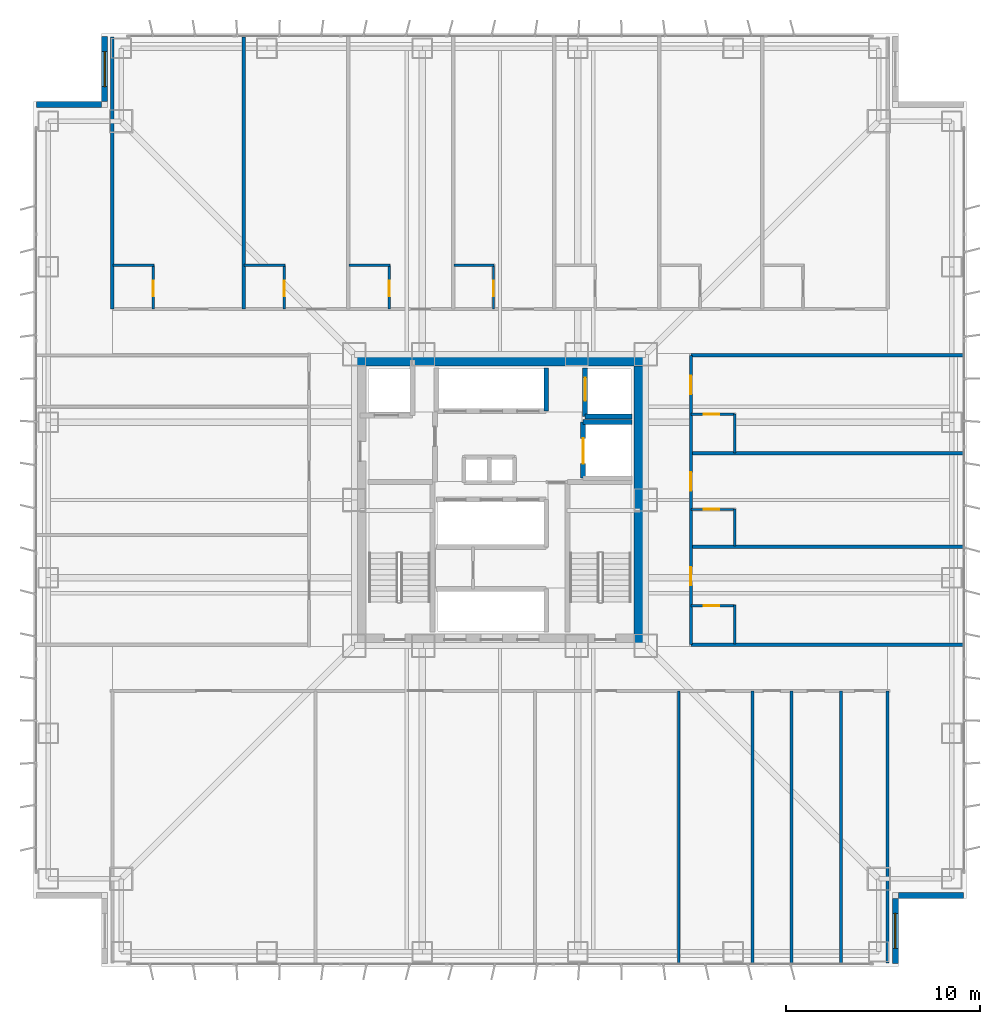
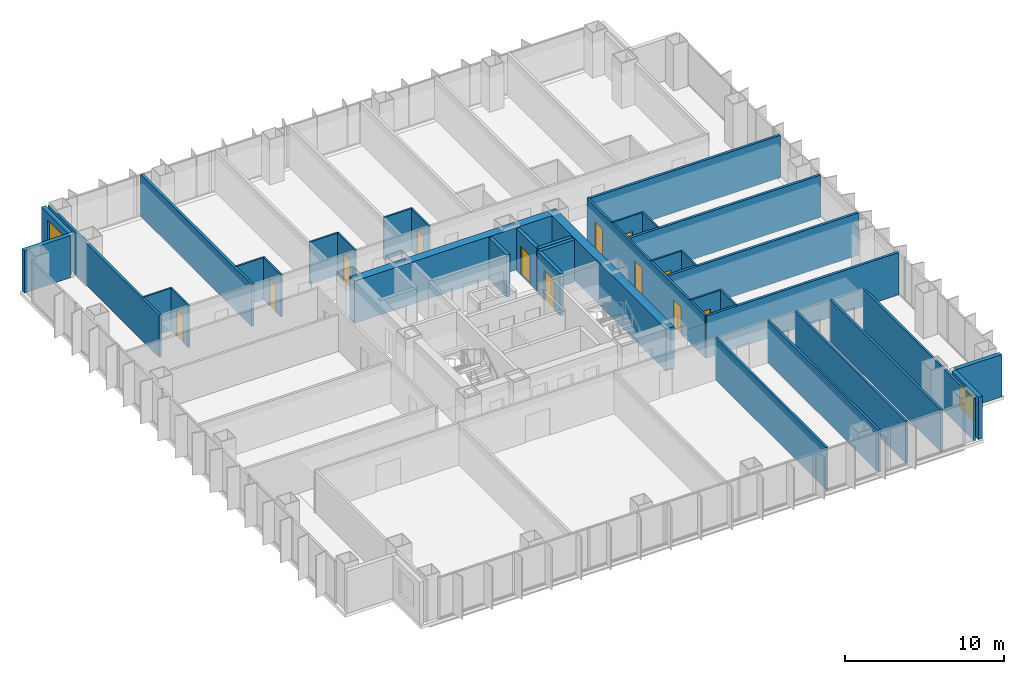
# One storey, part 12 of 17: 37 walls, 12 doors, 2 windows, 14 openings.
"""IFC4 building model written with IfcOpenShell, lengths in metres."""

from ifc_helpers import new_model, si_unit, direction, frame, frame_2d, origin, place, context, subcontext, project, spatial, rectangle, extrude, material, layer, layer_set, type_object, element, fill, save


model = new_model("IFC4")

# Units and contexts
model_context = context("Model", 3, precision=1e-05, world=origin(), true_north=direction((0.0, 1.0)))
body_context = subcontext(model_context, "Body", "Model", "MODEL_VIEW")
ifc_project = project(units=[si_unit("LENGTHUNIT", "METRE"), si_unit("AREAUNIT", "SQUARE_METRE"), si_unit("VOLUMEUNIT", "CUBIC_METRE"), si_unit("PLANEANGLEUNIT", "RADIAN"), si_unit("MASSUNIT", "GRAM", prefix="KILO")], contexts=[model_context])

# Site, building, storey
site_placement = place(None, origin())
site = spatial("IfcSite", under=ifc_project, at=site_placement, CompositionType="ELEMENT")
building_placement = place(site_placement, origin())
building = spatial("IfcBuilding", under=site, at=building_placement, Name="Trevonay Congress Spire", CompositionType="ELEMENT")
storey_placement = place(building_placement, frame((0.0, 0.0, 69.0)))
storey = spatial("IfcBuildingStorey", under=building, at=storey_placement, Name="L17", CompositionType="ELEMENT", Elevation=69.0)

# Wall, opening, door
ifc_material_1 = material(Name="Concrete C40/50", Category="concrete")
ifc_layer_1 = layer(ifc_material_1, 0.1201171875, Name="Concrete C40/50")
ifc_layer_set_1 = layer_set([ifc_layer_1], Name="Concrete C40/50")
wall_type_1 = type_object("IfcWallType", Name="WAL-BATH-120", PredefinedType="PLUMBINGWALL", material=ifc_layer_set_1)
wall_1_placement = place(storey_placement, frame((-17.85009765625, 9.830078125, 0.0), z_axis=(0.0, 0.0, 1.0), x_axis=(0.0, 1.0, 0.0)))
wall_1 = element("IfcWall", 1, at=wall_1_placement, inside=storey, type_object=wall_type_1, Name="L17 interior wall WH-L17N-BS1", PredefinedType="PLUMBINGWALL", context=body_context, shape_type="SweptSolid", body=[
    extrude(rectangle(XDim=2.25, YDim=0.1201171875, at=frame_2d((1.125, 0.0))), origin(), (0.0, 0.0, 1.0), 3.25),
])
opening_1_placement = place(wall_1_placement, frame((0.64990234375, 0.0, 0.0)))
opening_1 = element("IfcOpeningElement", 2, at=opening_1_placement, cuts=wall_1, Name="Opening D11", PredefinedType="OPENING", context=body_context, shape_type="SweptSolid", body=[
    extrude(rectangle(XDim=0.800048828125, YDim=2.050048828125, at=frame_2d((0.39990234375, 1.02490234375))), frame((0.0, 0.070068359375, 0.0), z_axis=(0.0, -1.0, 0.0), x_axis=(1.0, 0.0, 0.0)), (0.0, 0.0, 1.0), 0.14013671875),
])
ifc_material_2 = material(Name="Pale Anodised Aluminium EN AW-6063-T6", Category="aluminium")
door_type_1 = type_object("IfcDoorType", Name="DOR-BATH-80", OperationType="NOTDEFINED", PredefinedType="DOOR", material=ifc_material_2)
door_1_placement = place(opening_1_placement, origin())
door_1 = element("IfcDoor", 3, at=door_1_placement, inside=storey, type_object=door_type_1, Name="L17 En-suite Bathroom Door", OperationType="SINGLE_SWING_RIGHT", OverallHeight=2.050048828125, OverallWidth=0.800048828125, PredefinedType="DOOR", context=body_context, shape_type="SweptSolid", body=[
    extrude(rectangle(XDim=0.800048828125, YDim=2.050048828125, at=frame_2d((0.39990234375, 1.02490234375))), frame((0.0, 0.02490234375, 0.0), z_axis=(0.0, -1.0, 0.0), x_axis=(1.0, 0.0, 0.0)), (0.0, 0.0, 1.0), 0.050048828125),
])
fill(opening_1, door_1)

# Wall
wall_2_placement = place(storey_placement, frame((-19.919921875, 12.080078125, 0.0), z_axis=(0.0, 0.0, 1.0), x_axis=(1.0, 0.0, 0.0)))
element("IfcWall", 4, at=wall_2_placement, inside=storey, type_object=wall_type_1, Name="L17 interior wall WH-L17N-BF1", PredefinedType="PLUMBINGWALL", context=body_context, shape_type="SweptSolid", body=[
    extrude(rectangle(XDim=2.099853515625, YDim=0.1201171875, at=frame_2d((1.0498046875, 0.0))), origin(), (0.0, 0.0, 1.0), 3.25),
])

# Wall, opening, door
wall_3_placement = place(storey_placement, frame((-11.10009765625, 9.830078125, 0.0), z_axis=(0.0, 0.0, 1.0), x_axis=(0.0, 1.0, 0.0)))
wall_3 = element("IfcWall", 5, at=wall_3_placement, inside=storey, type_object=wall_type_1, Name="L17 interior wall WH-L17N-BS2", PredefinedType="PLUMBINGWALL", context=body_context, shape_type="SweptSolid", body=[
    extrude(rectangle(XDim=2.25, YDim=0.1201171875, at=frame_2d((1.125, 0.0))), origin(), (0.0, 0.0, 1.0), 3.25),
])
opening_2_placement = place(wall_3_placement, frame((0.64990234375, 0.0, 0.0)))
opening_2 = element("IfcOpeningElement", 6, at=opening_2_placement, cuts=wall_3, Name="Opening D11", PredefinedType="OPENING", context=body_context, shape_type="SweptSolid", body=[
    extrude(rectangle(XDim=0.800048828125, YDim=2.050048828125, at=frame_2d((0.39990234375, 1.02490234375))), frame((0.0, 0.070068359375, 0.0), z_axis=(0.0, -1.0, 0.0), x_axis=(1.0, 0.0, 0.0)), (0.0, 0.0, 1.0), 0.14013671875),
])
door_2_placement = place(opening_2_placement, origin())
door_2 = element("IfcDoor", 7, at=door_2_placement, inside=storey, type_object=door_type_1, Name="L17 En-suite Bathroom Door", OperationType="SINGLE_SWING_LEFT", OverallHeight=2.050048828125, OverallWidth=0.800048828125, PredefinedType="DOOR", context=body_context, shape_type="SweptSolid", body=[
    extrude(rectangle(XDim=0.800048828125, YDim=2.050048828125, at=frame_2d((0.39990234375, 1.02490234375))), frame((0.0, 0.02490234375, 0.0), z_axis=(0.0, -1.0, 0.0), x_axis=(1.0, 0.0, 0.0)), (0.0, 0.0, 1.0), 0.050048828125),
])
fill(opening_2, door_2)

# Wall
wall_4_placement = place(storey_placement, frame((-13.169921875, 12.080078125, 0.0), z_axis=(0.0, 0.0, 1.0), x_axis=(1.0, 0.0, 0.0)))
element("IfcWall", 8, at=wall_4_placement, inside=storey, type_object=wall_type_1, Name="L17 interior wall WH-L17N-BF2", PredefinedType="PLUMBINGWALL", context=body_context, shape_type="SweptSolid", body=[
    extrude(rectangle(XDim=2.099853515625, YDim=0.1201171875, at=frame_2d((1.0498046875, 0.0))), origin(), (0.0, 0.0, 1.0), 3.25),
])

# Wall, opening, door
wall_5_placement = place(storey_placement, frame((-5.699951171875, 9.830078125, 0.0), z_axis=(0.0, 0.0, 1.0), x_axis=(0.0, 1.0, 0.0)))
wall_5 = element("IfcWall", 9, at=wall_5_placement, inside=storey, type_object=wall_type_1, Name="L17 interior wall WH-L17N-BS3", PredefinedType="PLUMBINGWALL", context=body_context, shape_type="SweptSolid", body=[
    extrude(rectangle(XDim=2.25, YDim=0.1201171875, at=frame_2d((1.125, 0.0))), origin(), (0.0, 0.0, 1.0), 3.25),
])
opening_3_placement = place(wall_5_placement, frame((0.64990234375, 0.0, 0.0)))
opening_3 = element("IfcOpeningElement", 10, at=opening_3_placement, cuts=wall_5, Name="Opening D11", PredefinedType="OPENING", context=body_context, shape_type="SweptSolid", body=[
    extrude(rectangle(XDim=0.800048828125, YDim=2.050048828125, at=frame_2d((0.39990234375, 1.02490234375))), frame((0.0, 0.070068359375, 0.0), z_axis=(0.0, -1.0, 0.0), x_axis=(1.0, 0.0, 0.0)), (0.0, 0.0, 1.0), 0.14013671875),
])
door_3_placement = place(opening_3_placement, origin())
door_3 = element("IfcDoor", 11, at=door_3_placement, inside=storey, type_object=door_type_1, Name="L17 En-suite Bathroom Door", OperationType="SINGLE_SWING_RIGHT", OverallHeight=2.050048828125, OverallWidth=0.800048828125, PredefinedType="DOOR", context=body_context, shape_type="SweptSolid", body=[
    extrude(rectangle(XDim=0.800048828125, YDim=2.050048828125, at=frame_2d((0.39990234375, 1.02490234375))), frame((0.0, 0.02490234375, 0.0), z_axis=(0.0, -1.0, 0.0), x_axis=(1.0, 0.0, 0.0)), (0.0, 0.0, 1.0), 0.050048828125),
])
fill(opening_3, door_3)

# Wall
wall_6_placement = place(storey_placement, frame((-7.77001953125, 12.080078125, 0.0), z_axis=(0.0, 0.0, 1.0), x_axis=(1.0, 0.0, 0.0)))
element("IfcWall", 12, at=wall_6_placement, inside=storey, type_object=wall_type_1, Name="L17 interior wall WH-L17N-BF3", PredefinedType="PLUMBINGWALL", context=body_context, shape_type="SweptSolid", body=[
    extrude(rectangle(XDim=2.10009765625, YDim=0.1201171875, at=frame_2d((1.050048828125, 0.0))), origin(), (0.0, 0.0, 1.0), 3.25),
])

# Wall, opening, door
wall_7_placement = place(storey_placement, frame((-0.3349609375, 9.830078125, 0.0), z_axis=(0.0, 0.0, 1.0), x_axis=(0.0, 1.0, 0.0)))
wall_7 = element("IfcWall", 13, at=wall_7_placement, inside=storey, type_object=wall_type_1, Name="L17 interior wall WH-L17N-BS4", PredefinedType="PLUMBINGWALL", context=body_context, shape_type="SweptSolid", body=[
    extrude(rectangle(XDim=2.25, YDim=0.1201171875, at=frame_2d((1.125, 0.0))), origin(), (0.0, 0.0, 1.0), 3.25),
])
opening_4_placement = place(wall_7_placement, frame((0.64990234375, 0.0, 0.0)))
opening_4 = element("IfcOpeningElement", 14, at=opening_4_placement, cuts=wall_7, Name="Opening D11", PredefinedType="OPENING", context=body_context, shape_type="SweptSolid", body=[
    extrude(rectangle(XDim=0.800048828125, YDim=2.050048828125, at=frame_2d((0.39990234375, 1.02490234375))), frame((0.0, 0.070068359375, 0.0), z_axis=(0.0, -1.0, 0.0), x_axis=(1.0, 0.0, 0.0)), (0.0, 0.0, 1.0), 0.14013671875),
])
door_4_placement = place(opening_4_placement, origin())
door_4 = element("IfcDoor", 15, at=door_4_placement, inside=storey, type_object=door_type_1, Name="L17 En-suite Bathroom Door", OperationType="SINGLE_SWING_LEFT", OverallHeight=2.050048828125, OverallWidth=0.800048828125, PredefinedType="DOOR", context=body_context, shape_type="SweptSolid", body=[
    extrude(rectangle(XDim=0.800048828125, YDim=2.050048828125, at=frame_2d((0.39990234375, 1.02490234375))), frame((0.0, 0.02490234375, 0.0), z_axis=(0.0, -1.0, 0.0), x_axis=(1.0, 0.0, 0.0)), (0.0, 0.0, 1.0), 0.050048828125),
])
fill(opening_4, door_4)

# Wall
wall_8_placement = place(storey_placement, frame((-2.3701171875, 12.080078125, 0.0), z_axis=(0.0, 0.0, 1.0), x_axis=(1.0, 0.0, 0.0)))
element("IfcWall", 16, at=wall_8_placement, inside=storey, type_object=wall_type_1, Name="L17 interior wall WH-L17N-BF4", PredefinedType="PLUMBINGWALL", context=body_context, shape_type="SweptSolid", body=[
    extrude(rectangle(XDim=2.065185546875, YDim=0.1201171875, at=frame_2d((1.03271484375, 0.0))), origin(), (0.0, 0.0, 1.0), 3.25),
])

# Wall, opening, door
wall_9_placement = place(storey_placement, frame((9.830078125, -5.44189453125, 0.0), z_axis=(0.0, 0.0, 1.0), x_axis=(1.0, 0.0, 0.0)))
wall_9 = element("IfcWall", 17, at=wall_9_placement, inside=storey, type_object=wall_type_1, Name="L17 interior wall WH-L17E-BS1", PredefinedType="PLUMBINGWALL", context=body_context, shape_type="SweptSolid", body=[
    extrude(rectangle(XDim=2.25, YDim=0.1201171875, at=frame_2d((1.125, 0.0))), origin(), (0.0, 0.0, 1.0), 3.25),
])
opening_5_placement = place(wall_9_placement, frame((0.64990234375, 0.0, 0.0)))
opening_5 = element("IfcOpeningElement", 18, at=opening_5_placement, cuts=wall_9, Name="Opening D11", PredefinedType="OPENING", context=body_context, shape_type="SweptSolid", body=[
    extrude(rectangle(XDim=0.800048828125, YDim=2.050048828125, at=frame_2d((0.39990234375, 1.02490234375))), frame((0.0, 0.070068359375, 0.0), z_axis=(0.0, -1.0, 0.0), x_axis=(1.0, 0.0, 0.0)), (0.0, 0.0, 1.0), 0.14013671875),
])
door_5_placement = place(opening_5_placement, origin())
door_5 = element("IfcDoor", 19, at=door_5_placement, inside=storey, type_object=door_type_1, Name="L17 En-suite Bathroom Door", OperationType="SINGLE_SWING_LEFT", OverallHeight=2.050048828125, OverallWidth=0.800048828125, PredefinedType="DOOR", context=body_context, shape_type="SweptSolid", body=[
    extrude(rectangle(XDim=0.800048828125, YDim=2.050048828125, at=frame_2d((0.39990234375, 1.02490234375))), frame((0.0, 0.02490234375, 0.0), z_axis=(0.0, -1.0, 0.0), x_axis=(1.0, 0.0, 0.0)), (0.0, 0.0, 1.0), 0.050048828125),
])
fill(opening_5, door_5)

# Wall
wall_10_placement = place(storey_placement, frame((12.080078125, -7.419921875, 0.0), z_axis=(0.0, 0.0, 1.0), x_axis=(0.0, 1.0, 0.0)))
element("IfcWall", 20, at=wall_10_placement, inside=storey, type_object=wall_type_1, Name="L17 interior wall WH-L17E-BF1", PredefinedType="PLUMBINGWALL", context=body_context, shape_type="SweptSolid", body=[
    extrude(rectangle(XDim=2.0078125, YDim=0.1201171875, at=frame_2d((1.00390625, 0.0))), origin(), (0.0, 0.0, 1.0), 3.25),
])

# Wall, opening, door
wall_11_placement = place(storey_placement, frame((9.830078125, -0.487060546875, 0.0), z_axis=(0.0, 0.0, 1.0), x_axis=(1.0, 0.0, 0.0)))
wall_11 = element("IfcWall", 21, at=wall_11_placement, inside=storey, type_object=wall_type_1, Name="L17 interior wall WH-L17E-BS2", PredefinedType="PLUMBINGWALL", context=body_context, shape_type="SweptSolid", body=[
    extrude(rectangle(XDim=2.25, YDim=0.1201171875, at=frame_2d((1.125, 0.0))), origin(), (0.0, 0.0, 1.0), 3.25),
])
opening_6_placement = place(wall_11_placement, frame((0.64990234375, 0.0, 0.0)))
opening_6 = element("IfcOpeningElement", 22, at=opening_6_placement, cuts=wall_11, Name="Opening D11", PredefinedType="OPENING", context=body_context, shape_type="SweptSolid", body=[
    extrude(rectangle(XDim=0.800048828125, YDim=2.050048828125, at=frame_2d((0.39990234375, 1.02490234375))), frame((0.0, 0.070068359375, 0.0), z_axis=(0.0, -1.0, 0.0), x_axis=(1.0, 0.0, 0.0)), (0.0, 0.0, 1.0), 0.14013671875),
])
door_6_placement = place(opening_6_placement, origin())
door_6 = element("IfcDoor", 23, at=door_6_placement, inside=storey, type_object=door_type_1, Name="L17 En-suite Bathroom Door", OperationType="SINGLE_SWING_RIGHT", OverallHeight=2.050048828125, OverallWidth=0.800048828125, PredefinedType="DOOR", context=body_context, shape_type="SweptSolid", body=[
    extrude(rectangle(XDim=0.800048828125, YDim=2.050048828125, at=frame_2d((0.39990234375, 1.02490234375))), frame((0.0, 0.02490234375, 0.0), z_axis=(0.0, -1.0, 0.0), x_axis=(1.0, 0.0, 0.0)), (0.0, 0.0, 1.0), 0.050048828125),
])
fill(opening_6, door_6)

# Wall
wall_12_placement = place(storey_placement, frame((12.080078125, -2.3701171875, 0.0), z_axis=(0.0, 0.0, 1.0), x_axis=(0.0, 1.0, 0.0)))
element("IfcWall", 24, at=wall_12_placement, inside=storey, type_object=wall_type_1, Name="L17 interior wall WH-L17E-BF2", PredefinedType="PLUMBINGWALL", context=body_context, shape_type="SweptSolid", body=[
    extrude(rectangle(XDim=1.9130859375, YDim=0.1201171875, at=frame_2d((0.95654296875, 0.0))), origin(), (0.0, 0.0, 1.0), 3.25),
])

# Wall, opening, door
wall_13_placement = place(storey_placement, frame((9.830078125, 4.407958984375, 0.0), z_axis=(0.0, 0.0, 1.0), x_axis=(1.0, 0.0, 0.0)))
wall_13 = element("IfcWall", 25, at=wall_13_placement, inside=storey, type_object=wall_type_1, Name="L17 interior wall WH-L17E-BS3", PredefinedType="PLUMBINGWALL", context=body_context, shape_type="SweptSolid", body=[
    extrude(rectangle(XDim=2.25, YDim=0.1201171875, at=frame_2d((1.125, 0.0))), origin(), (0.0, 0.0, 1.0), 3.25),
])
opening_7_placement = place(wall_13_placement, frame((0.64990234375, 0.0, 0.0)))
opening_7 = element("IfcOpeningElement", 26, at=opening_7_placement, cuts=wall_13, Name="Opening D11", PredefinedType="OPENING", context=body_context, shape_type="SweptSolid", body=[
    extrude(rectangle(XDim=0.800048828125, YDim=2.050048828125, at=frame_2d((0.39990234375, 1.02490234375))), frame((0.0, 0.070068359375, 0.0), z_axis=(0.0, -1.0, 0.0), x_axis=(1.0, 0.0, 0.0)), (0.0, 0.0, 1.0), 0.14013671875),
])
door_7_placement = place(opening_7_placement, origin())
door_7 = element("IfcDoor", 27, at=door_7_placement, inside=storey, type_object=door_type_1, Name="L17 En-suite Bathroom Door", OperationType="SINGLE_SWING_LEFT", OverallHeight=2.050048828125, OverallWidth=0.800048828125, PredefinedType="DOOR", context=body_context, shape_type="SweptSolid", body=[
    extrude(rectangle(XDim=0.800048828125, YDim=2.050048828125, at=frame_2d((0.39990234375, 1.02490234375))), frame((0.0, 0.02490234375, 0.0), z_axis=(0.0, -1.0, 0.0), x_axis=(1.0, 0.0, 0.0)), (0.0, 0.0, 1.0), 0.050048828125),
])
fill(opening_7, door_7)

# Walls
wall_14_placement = place(storey_placement, frame((12.080078125, 2.429931640625, 0.0), z_axis=(0.0, 0.0, 1.0), x_axis=(0.0, 1.0, 0.0)))
element("IfcWall", 28, at=wall_14_placement, inside=storey, type_object=wall_type_1, Name="L17 interior wall WH-L17E-BF3", PredefinedType="PLUMBINGWALL", context=body_context, shape_type="SweptSolid", body=[
    extrude(rectangle(XDim=2.008056640625, YDim=0.1201171875, at=frame_2d((1.00390625, 0.0))), origin(), (0.0, 0.0, 1.0), 3.25),
])
ifc_material_3 = material(Name="Concrete C60/75", Category="concrete")
ifc_layer_2 = layer(ifc_material_3, 0.60009765625, Name="Concrete C60/75")
ifc_layer_set_2 = layer_set([ifc_layer_2], Name="Concrete C60/75")
wall_type_2 = type_object("IfcWallType", Name="WAL-CORE-600", PredefinedType="SHEAR", material=ifc_layer_set_2)
for number, where, z_axis, x_axis, name in (
    (29, (-7.5, 7.199951171875, 0.0), (0.0, 0.0, 1.0), (1.0, 0.0, 0.0), "L17 North structural core shear wall"),
    (30, (7.199951171875, -7.5, 0.0), (0.0, 0.0, 1.0), (0.0, 1.0, 0.0), "L17 East structural core shear wall"),
):
    element("IfcWall", number, at=place(storey_placement, frame(where, z_axis=z_axis, x_axis=x_axis)), inside=storey, type_object=wall_type_2, Name=name, PredefinedType="SHEAR", context=body_context, shape_type="SweptSolid", body=[
        extrude(rectangle(XDim=15.0, YDim=0.60009765625, at=frame_2d((7.5, 0.0))), origin(), (0.0, 0.0, 1.0), 3.25),
    ])

# Wall, openings, doors
ifc_layer_3 = layer(ifc_material_1, 0.14990234375, Name="Concrete C40/50")
ifc_layer_set_3 = layer_set([ifc_layer_3], Name="Concrete C40/50")
wall_type_3 = type_object("IfcWallType", Name="WAL-CORR-150", PredefinedType="PARTITIONING", material=ifc_layer_set_3)
wall_15_placement = place(storey_placement, frame((9.830078125, -7.449951171875, 0.0), z_axis=(0.0, 0.0, 1.0), x_axis=(0.0, 1.0, 0.0)))
wall_15 = element("IfcWall", 31, at=wall_15_placement, inside=storey, type_object=wall_type_3, Name="L17 interior wall WH-L17E-COR", PredefinedType="PARTITIONING", context=body_context, shape_type="SweptSolid", body=[
    extrude(rectangle(XDim=14.89990234375, YDim=0.14990234375, at=frame_2d((7.449951171875, 0.0))), origin(), (0.0, 0.0, 1.0), 3.25),
])
opening_8_placement = place(wall_15_placement, frame((3.049072265625, 0.0, 0.0)))
opening_8 = element("IfcOpeningElement", 32, at=opening_8_placement, cuts=wall_15, Name="Opening D08", PredefinedType="OPENING", context=body_context, shape_type="SweptSolid", body=[
    extrude(rectangle(XDim=0.949951171875, YDim=2.080078125, at=frame_2d((0.47509765625, 1.0400390625))), frame((0.0, 0.0849609375, 0.0), z_axis=(0.0, -1.0, 0.0), x_axis=(1.0, 0.0, 0.0)), (0.0, 0.0, 1.0), 0.169921875),
])
opening_9_placement = place(wall_15_placement, frame((7.926513671875, 0.0, 0.0)))
opening_9 = element("IfcOpeningElement", 33, at=opening_9_placement, cuts=wall_15, Name="Opening D08", PredefinedType="OPENING", context=body_context, shape_type="SweptSolid", body=[
    extrude(rectangle(XDim=0.949951171875, YDim=2.080078125, at=frame_2d((0.47509765625, 1.0400390625))), frame((0.0, 0.0849609375, 0.0), z_axis=(0.0, -1.0, 0.0), x_axis=(1.0, 0.0, 0.0)), (0.0, 0.0, 1.0), 0.169921875),
])
opening_10_placement = place(wall_15_placement, frame((12.89892578125, 0.0, 0.0)))
opening_10 = element("IfcOpeningElement", 34, at=opening_10_placement, cuts=wall_15, Name="Opening D08", PredefinedType="OPENING", context=body_context, shape_type="SweptSolid", body=[
    extrude(rectangle(XDim=0.949951171875, YDim=2.080078125, at=frame_2d((0.47509765625, 1.0400390625))), frame((0.0, 0.0849609375, 0.0), z_axis=(0.0, -1.0, 0.0), x_axis=(1.0, 0.0, 0.0)), (0.0, 0.0, 1.0), 0.169921875),
])
door_type_2 = type_object("IfcDoorType", Name="DOR-SUITE-95", OperationType="NOTDEFINED", PredefinedType="DOOR", material=ifc_material_2)
door_8_placement = place(opening_8_placement, origin())
door_8 = element("IfcDoor", 35, at=door_8_placement, inside=storey, type_object=door_type_2, Name="L17 Hotel Guest Room Entrance Door", OperationType="SINGLE_SWING_RIGHT", OverallHeight=2.080078125, OverallWidth=0.949951171875, PredefinedType="DOOR", context=body_context, shape_type="SweptSolid", body=[
    extrude(rectangle(XDim=0.949951171875, YDim=2.080078125, at=frame_2d((0.47509765625, 1.0400390625))), frame((0.0, 0.02490234375, 0.0), z_axis=(0.0, -1.0, 0.0), x_axis=(1.0, 0.0, 0.0)), (0.0, 0.0, 1.0), 0.050048828125),
])
fill(opening_8, door_8)
door_9_placement = place(opening_9_placement, origin())
door_9 = element("IfcDoor", 36, at=door_9_placement, inside=storey, type_object=door_type_2, Name="L17 Corner Hotel Suite Entrance Door", OperationType="SINGLE_SWING_LEFT", OverallHeight=2.080078125, OverallWidth=0.949951171875, PredefinedType="DOOR", context=body_context, shape_type="SweptSolid", body=[
    extrude(rectangle(XDim=0.949951171875, YDim=2.080078125, at=frame_2d((0.47509765625, 1.0400390625))), frame((0.0, 0.02490234375, 0.0), z_axis=(0.0, -1.0, 0.0), x_axis=(1.0, 0.0, 0.0)), (0.0, 0.0, 1.0), 0.050048828125),
])
fill(opening_9, door_9)
door_10_placement = place(opening_10_placement, origin())
door_10 = element("IfcDoor", 37, at=door_10_placement, inside=storey, type_object=door_type_2, Name="L17 Hotel Guest Room Entrance Door", OperationType="SINGLE_SWING_RIGHT", OverallHeight=2.080078125, OverallWidth=0.949951171875, PredefinedType="DOOR", context=body_context, shape_type="SweptSolid", body=[
    extrude(rectangle(XDim=0.949951171875, YDim=2.080078125, at=frame_2d((0.47509765625, 1.0400390625))), frame((0.0, 0.02490234375, 0.0), z_axis=(0.0, -1.0, 0.0), x_axis=(1.0, 0.0, 0.0)), (0.0, 0.0, 1.0), 0.050048828125),
])
fill(opening_10, door_10)

# Wall, opening, window
ifc_material_4 = material(Name="Precast concrete C40/50", Category="concrete")
ifc_layer_4 = layer(ifc_material_4, 0.300048828125, Name="Precast concrete C40/50")
ifc_layer_set_4 = layer_set([ifc_layer_4], Name="Precast concrete C40/50")
wall_type_4 = type_object("IfcWallType", Name="WAL-EXT-PRECAST-300", PredefinedType="SOLIDWALL", material=ifc_layer_set_4)
wall_16_placement = place(storey_placement, frame((20.35009765625, -23.85009765625, 0.0), z_axis=(0.0, 0.0, 1.0), x_axis=(0.0, 1.0, 0.0)))
wall_16 = element("IfcWall", 38, at=wall_16_placement, inside=storey, type_object=wall_type_4, Name="L17 SE re-entrant notch exterior wall 1", PredefinedType="SOLIDWALL", context=body_context, shape_type="SweptSolid", body=[
    extrude(rectangle(XDim=3.35009765625, YDim=0.300048828125, at=frame_2d((1.675048828125, 0.0))), origin(), (0.0, 0.0, 1.0), 3.25),
])
opening_11_placement = place(wall_16_placement, frame((0.77490234375, 0.0, 0.89990234375)))
opening_11 = element("IfcOpeningElement", 39, at=opening_11_placement, cuts=wall_16, Name="Opening WN01", PredefinedType="OPENING", context=body_context, shape_type="SweptSolid", body=[
    extrude(rectangle(XDim=1.800048828125, YDim=1.800048828125, at=frame_2d((0.89990234375, 0.89990234375))), frame((0.0, 0.16015625, 0.0), z_axis=(0.0, -1.0, 0.0), x_axis=(1.0, 0.0, 0.0)), (0.0, 0.0, 1.0), 0.320068359375),
])
ifc_material_5 = material(Name="Insulated Low-E Vision Glass IGU", Category="glass")
window_type = type_object("IfcWindowType", Name="WIN-HOTEL-180X180", PartitioningType="SINGLE_PANEL", PredefinedType="WINDOW", material=ifc_material_5)
window_1_placement = place(opening_11_placement, origin())
window_1 = element("IfcWindow", 40, at=window_1_placement, inside=storey, type_object=window_type, Name="L17 SE corner notch window", OverallHeight=1.800048828125, OverallWidth=1.800048828125, PartitioningType="SINGLE_PANEL", PredefinedType="WINDOW", context=body_context, shape_type="SweptSolid", body=[
    extrude(rectangle(XDim=1.800048828125, YDim=1.800048828125, at=frame_2d((0.89990234375, 0.89990234375))), frame((0.0, 0.030029296875, 0.0), z_axis=(0.0, -1.0, 0.0), x_axis=(1.0, 0.0, 0.0)), (0.0, 0.0, 1.0), 0.06005859375),
])
fill(opening_11, window_1)

# Wall
wall_17_placement = place(storey_placement, frame((23.85009765625, -20.35009765625, 0.0), z_axis=(0.0, 0.0, 1.0), x_axis=(-1.0, 0.0, 0.0)))
element("IfcWall", 41, at=wall_17_placement, inside=storey, type_object=wall_type_4, Name="L17 SE re-entrant notch exterior wall 2", PredefinedType="SOLIDWALL", context=body_context, shape_type="SweptSolid", body=[
    extrude(rectangle(XDim=3.35009765625, YDim=0.300048828125, at=frame_2d((1.675048828125, 0.0))), origin(), (0.0, 0.0, 1.0), 3.25),
])

# Wall, opening, window
wall_18_placement = place(storey_placement, frame((-20.35009765625, 23.85009765625, 0.0), z_axis=(0.0, 0.0, 1.0), x_axis=(0.0, -1.0, 0.0)))
wall_18 = element("IfcWall", 42, at=wall_18_placement, inside=storey, type_object=wall_type_4, Name="L17 NW re-entrant notch exterior wall 1", PredefinedType="SOLIDWALL", context=body_context, shape_type="SweptSolid", body=[
    extrude(rectangle(XDim=3.35009765625, YDim=0.300048828125, at=frame_2d((1.675048828125, 0.0))), origin(), (0.0, 0.0, 1.0), 3.25),
])
opening_12_placement = place(wall_18_placement, frame((0.77490234375, 0.0, 0.89990234375)))
opening_12 = element("IfcOpeningElement", 43, at=opening_12_placement, cuts=wall_18, Name="Opening WN01", PredefinedType="OPENING", context=body_context, shape_type="SweptSolid", body=[
    extrude(rectangle(XDim=1.800048828125, YDim=1.800048828125, at=frame_2d((0.89990234375, 0.89990234375))), frame((0.0, 0.16015625, 0.0), z_axis=(0.0, -1.0, 0.0), x_axis=(1.0, 0.0, 0.0)), (0.0, 0.0, 1.0), 0.320068359375),
])
window_2_placement = place(opening_12_placement, origin())
window_2 = element("IfcWindow", 44, at=window_2_placement, inside=storey, type_object=window_type, Name="L17 NW corner notch window", OverallHeight=1.800048828125, OverallWidth=1.800048828125, PartitioningType="SINGLE_PANEL", PredefinedType="WINDOW", context=body_context, shape_type="SweptSolid", body=[
    extrude(rectangle(XDim=1.800048828125, YDim=1.800048828125, at=frame_2d((0.89990234375, 0.89990234375))), frame((0.0, 0.030029296875, 0.0), z_axis=(0.0, -1.0, 0.0), x_axis=(1.0, 0.0, 0.0)), (0.0, 0.0, 1.0), 0.06005859375),
])
fill(opening_12, window_2)

# Walls
wall_19_placement = place(storey_placement, frame((-23.85009765625, 20.35009765625, 0.0), z_axis=(0.0, 0.0, 1.0), x_axis=(1.0, 0.0, 0.0)))
element("IfcWall", 45, at=wall_19_placement, inside=storey, type_object=wall_type_4, Name="L17 NW re-entrant notch exterior wall 2", PredefinedType="SOLIDWALL", context=body_context, shape_type="SweptSolid", body=[
    extrude(rectangle(XDim=3.35009765625, YDim=0.300048828125, at=frame_2d((1.675048828125, 0.0))), origin(), (0.0, 0.0, 1.0), 3.25),
])
ifc_layer_5 = layer(ifc_material_1, 0.179931640625, Name="Concrete C40/50")
ifc_layer_set_5 = layer_set([ifc_layer_5], Name="Concrete C40/50")
wall_type_5 = type_object("IfcWallType", Name="WAL-HOTEL-180", PredefinedType="PARTITIONING", material=ifc_layer_set_5)
for number, where, z_axis, x_axis, name in (
    (46, (-19.949951171875, 9.830078125, 0.0), (0.0, 0.0, 1.0), (0.0, 1.0, 0.0), "L17 interior wall WH-L17N-DIV1"),
    (47, (-13.199951171875, 9.830078125, 0.0), (0.0, 0.0, 1.0), (0.0, 1.0, 0.0), "L17 interior wall WH-L17N-DIV2"),
    (48, (9.830078125, -7.449951171875, 0.0), (0.0, 0.0, 1.0), (1.0, 0.0, 0.0), "L17 interior wall WH-L17E-DIV1"),
    (49, (9.830078125, -2.39990234375, 0.0), (0.0, 0.0, 1.0), (1.0, 0.0, 0.0), "L17 interior wall WH-L17E-DIV2"),
    (50, (9.830078125, 2.39990234375, 0.0), (0.0, 0.0, 1.0), (1.0, 0.0, 0.0), "L17 interior wall WH-L17E-DIV3"),
    (51, (9.830078125, 7.449951171875, 0.0), (0.0, 0.0, 1.0), (1.0, 0.0, 0.0), "L17 interior wall WH-L17E-DIV4"),
):
    element("IfcWall", number, at=place(storey_placement, frame(where, z_axis=z_axis, x_axis=x_axis)), inside=storey, type_object=wall_type_5, Name=name, PredefinedType="PARTITIONING", context=body_context, shape_type="SweptSolid", body=[
        extrude(rectangle(XDim=13.989990234375, YDim=0.179931640625, at=frame_2d((6.9951171875, 0.0))), origin(), (0.0, 0.0, 1.0), 3.25),
    ])
ifc_layer_6 = layer(ifc_material_1, 0.14990234375, Name="Concrete C40/50")
ifc_layer_set_6 = layer_set([ifc_layer_6], Name="Concrete C40/50")
wall_type_6 = type_object("IfcWallType", Name="WAL-PART-150", PredefinedType="PARTITIONING", material=ifc_layer_set_6)
for number, where, z_axis, x_axis, name in (
    (52, (9.199951171875, -23.820068359375, 0.0), (0.0, 0.0, 1.0), (0.0, 1.0, 0.0), "L17 interior wall WP-L17S-DIV4"),
    (53, (13.0, -23.820068359375, 0.0), (0.0, 0.0, 1.0), (0.0, 1.0, 0.0), "L17 interior wall WP-L17S-DIV5"),
    (54, (15.0, -23.820068359375, 0.0), (0.0, 0.0, 1.0), (0.0, 1.0, 0.0), "L17 interior wall WP-L17S-DIV6"),
    (55, (19.949951171875, -23.820068359375, 0.0), (0.0, 0.0, 1.0), (0.0, 1.0, 0.0), "L17 interior wall WP-L17S-DIV7"),
):
    element("IfcWall", number, at=place(storey_placement, frame(where, z_axis=z_axis, x_axis=x_axis)), inside=storey, type_object=wall_type_6, Name=name, PredefinedType="PARTITIONING", context=body_context, shape_type="SweptSolid", body=[
        extrude(rectangle(XDim=13.989990234375, YDim=0.14990234375, at=frame_2d((6.9951171875, 0.0))), origin(), (0.0, 0.0, 1.0), 3.25),
    ])
ifc_layer_7 = layer(ifc_material_1, 0.25, Name="Concrete C40/50")
ifc_layer_set_7 = layer_set([ifc_layer_7], Name="Concrete C40/50")
wall_type_7 = type_object("IfcWallType", Name="WAL-SHAFT-250", PredefinedType="SHEAR", material=ifc_layer_set_7)
wall_20_placement = place(storey_placement, frame((2.3798828125, 4.580078125, 0.0), z_axis=(0.0, 0.0, 1.0), x_axis=(0.0, 1.0, 0.0)))
element("IfcWall", 56, at=wall_20_placement, inside=storey, type_object=wall_type_7, Name="L17 interior shaft wall WSH-L17-B3-E", PredefinedType="SHEAR", context=body_context, shape_type="SweptSolid", body=[
    extrude(rectangle(XDim=2.219970703125, YDim=0.25, at=frame_2d((1.10986328125, 0.0))), origin(), (0.0, 0.0, 1.0), 3.25),
])
wall_21_placement = place(storey_placement, frame((4.3798828125, 4.300048828125, 0.0), z_axis=(0.0, 0.0, 1.0), x_axis=(1.0, 0.0, 0.0)))
element("IfcWall", 57, at=wall_21_placement, inside=storey, type_object=wall_type_7, Name="L17 interior shaft wall WSH-L17-FF2-S", PredefinedType="SHEAR", context=body_context, shape_type="SweptSolid", body=[
    extrude(rectangle(XDim=2.420166015625, YDim=0.25, at=frame_2d((1.2099609375, 0.0))), origin(), (0.0, 0.0, 1.0), 3.25),
])

# Wall, opening, door
wall_22_placement = place(storey_placement, frame((4.3798828125, 4.300048828125, 0.0), z_axis=(0.0, 0.0, 1.0), x_axis=(0.0, 1.0, 0.0)))
wall_22 = element("IfcWall", 58, at=wall_22_placement, inside=storey, type_object=wall_type_7, Name="L17 interior shaft wall WSH-L17-FF2-W", PredefinedType="SHEAR", context=body_context, shape_type="SweptSolid", body=[
    extrude(rectangle(XDim=2.5, YDim=0.25, at=frame_2d((1.25, 0.0))), origin(), (0.0, 0.0, 1.0), 3.25),
])
opening_13_placement = place(wall_22_placement, frame((0.800048828125, 0.0, 0.0)))
opening_13 = element("IfcOpeningElement", 59, at=opening_13_placement, cuts=wall_22, Name="Opening LD04", PredefinedType="OPENING", context=body_context, shape_type="SweptSolid", body=[
    extrude(rectangle(XDim=1.199951171875, YDim=2.199951171875, at=frame_2d((0.60009765625, 1.10009765625))), frame((0.0, 0.135009765625, 0.0), z_axis=(0.0, -1.0, 0.0), x_axis=(1.0, 0.0, 0.0)), (0.0, 0.0, 1.0), 0.27001953125),
])
ifc_material_6 = material(Name="Steel ASTM A572 Grade 50", Category="steel")
door_type_3 = type_object("IfcDoorType", Name="DOR-LIFT-LD04", OperationType="DOUBLE_DOOR_SLIDING", PredefinedType="DOOR", material=ifc_material_6)
door_11_placement = place(opening_13_placement, origin())
door_11 = element("IfcDoor", 60, at=door_11_placement, inside=storey, type_object=door_type_3, Name="L17 Firefighting lift FFL-02 landing door", OperationType="DOUBLE_DOOR_SLIDING", OverallHeight=2.199951171875, OverallWidth=1.199951171875, PredefinedType="DOOR", context=body_context, shape_type="SweptSolid", body=[
    extrude(rectangle(XDim=1.199951171875, YDim=2.199951171875, at=frame_2d((0.60009765625, 1.10009765625))), frame((0.0, 0.02490234375, 0.0), z_axis=(0.0, -1.0, 0.0), x_axis=(1.0, 0.0, 0.0)), (0.0, 0.0, 1.0), 0.050048828125),
])
fill(opening_13, door_11)

wall_23_placement = place(storey_placement, frame((4.280029296875, 1.1201171875, 0.0), z_axis=(0.0, 0.0, 1.0), x_axis=(0.0, 1.0, 0.0)))
wall_23 = element("IfcWall", 61, at=wall_23_placement, inside=storey, type_object=wall_type_7, Name="L17 interior shaft wall WSH-L17-SV-W", PredefinedType="SHEAR", context=body_context, shape_type="SweptSolid", body=[
    extrude(rectangle(XDim=2.89990234375, YDim=0.25, at=frame_2d((1.449951171875, 0.0))), origin(), (0.0, 0.0, 1.0), 3.25),
])
opening_14_placement = place(wall_23_placement, frame((0.75, 0.0, 0.0)))
opening_14 = element("IfcOpeningElement", 62, at=opening_14_placement, cuts=wall_23, Name="Opening LD05", PredefinedType="OPENING", context=body_context, shape_type="SweptSolid", body=[
    extrude(rectangle(XDim=1.300048828125, YDim=2.300048828125, at=frame_2d((0.64990234375, 1.14990234375))), frame((0.0, 0.135009765625, 0.0), z_axis=(0.0, -1.0, 0.0), x_axis=(1.0, 0.0, 0.0)), (0.0, 0.0, 1.0), 0.27001953125),
])
door_type_4 = type_object("IfcDoorType", Name="DOR-LIFT-LD05", OperationType="DOUBLE_DOOR_SLIDING", PredefinedType="DOOR", material=ifc_material_6)
door_12_placement = place(opening_14_placement, origin())
door_12 = element("IfcDoor", 63, at=door_12_placement, inside=storey, type_object=door_type_4, Name="L17 Goods lift SVL-01 landing door", OperationType="DOUBLE_DOOR_SLIDING", OverallHeight=2.300048828125, OverallWidth=1.300048828125, PredefinedType="DOOR", context=body_context, shape_type="SweptSolid", body=[
    extrude(rectangle(XDim=1.300048828125, YDim=2.300048828125, at=frame_2d((0.64990234375, 1.14990234375))), frame((0.0, 0.02490234375, 0.0), z_axis=(0.0, -1.0, 0.0), x_axis=(1.0, 0.0, 0.0)), (0.0, 0.0, 1.0), 0.050048828125),
])
fill(opening_14, door_12)

# Walls
wall_24_placement = place(storey_placement, frame((4.280029296875, 4.02001953125, 0.0), z_axis=(0.0, 0.0, 1.0), x_axis=(1.0, 0.0, 0.0)))
element("IfcWall", 64, at=wall_24_placement, inside=storey, type_object=wall_type_7, Name="L17 interior shaft wall WSH-L17-SV-N", PredefinedType="SHEAR", context=body_context, shape_type="SweptSolid", body=[
    extrude(rectangle(XDim=2.52001953125, YDim=0.25, at=frame_2d((1.260009765625, 0.0))), origin(), (0.0, 0.0, 1.0), 3.25),
])
ifc_layer_8 = layer(ifc_material_1, 0.1650390625, Name="Concrete C40/50")
ifc_layer_set_8 = layer_set([ifc_layer_8], Name="Concrete C40/50")
wall_type_8 = type_object("IfcWallType", Name="WAL-WET-165", PredefinedType="PLUMBINGWALL", material=ifc_layer_set_8)
wall_25_placement = place(storey_placement, frame((17.550048828125, -23.820068359375, 0.0), z_axis=(0.0, 0.0, 1.0), x_axis=(0.0, 1.0, 0.0)))
element("IfcWall", 65, at=wall_25_placement, inside=storey, type_object=wall_type_8, Name="L17 interior wall WP-L17S-WCS6", PredefinedType="PLUMBINGWALL", context=body_context, shape_type="SweptSolid", body=[
    extrude(rectangle(XDim=13.989990234375, YDim=0.1650390625, at=frame_2d((6.9951171875, 0.0))), origin(), (0.0, 0.0, 1.0), 3.25),
])

save(model, "model.ifc")
